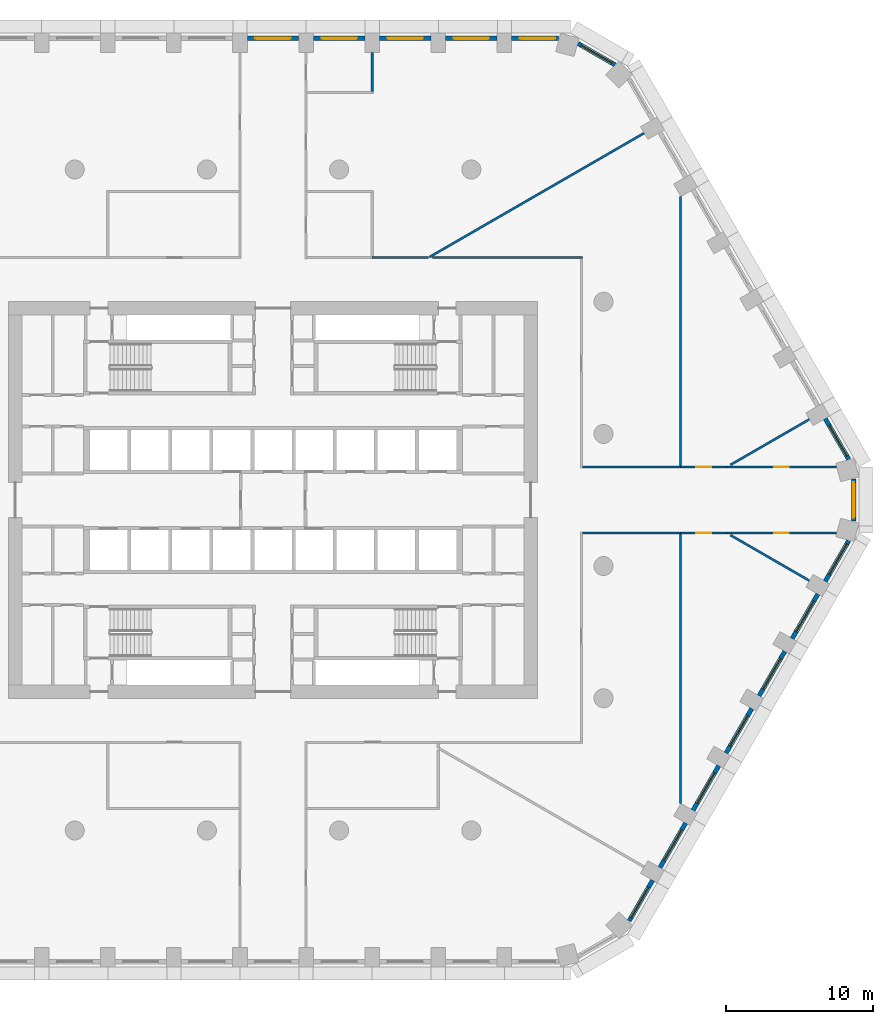
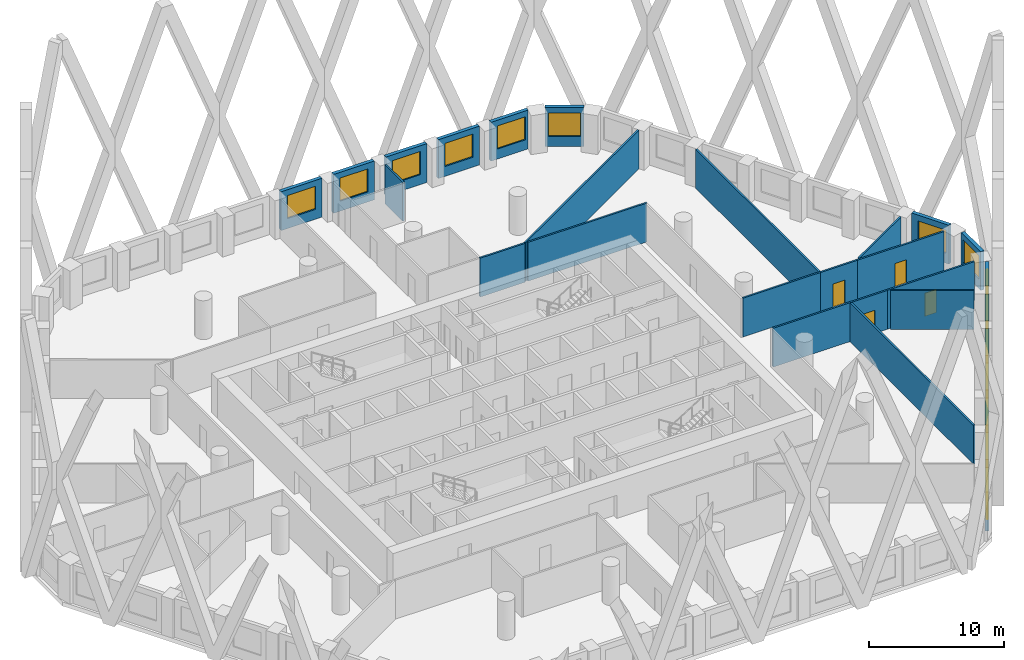
# One storey, part 8 of 18: 29 walls, 15 windows, 4 doors, 19 openings.
"""IFC4 building model written with IfcOpenShell, lengths in metres."""

from ifc_helpers import new_model, si_unit, direction, frame, frame_2d, origin, place, context, subcontext, project, spatial, rectangle, extrude, material, layer, layer_set, type_object, element, fill, save


model = new_model("IFC4")

# Units and contexts
model_context = context("Model", 3, precision=1e-05, world=origin(), true_north=direction((0.0, 1.0)))
body_context = subcontext(model_context, "Body", "Model", "MODEL_VIEW")
ifc_project = project(units=[si_unit("LENGTHUNIT", "METRE"), si_unit("AREAUNIT", "SQUARE_METRE"), si_unit("VOLUMEUNIT", "CUBIC_METRE"), si_unit("PLANEANGLEUNIT", "RADIAN"), si_unit("MASSUNIT", "GRAM", prefix="KILO")], contexts=[model_context])

# Site, building, storey
site_placement = place(None, origin())
site = spatial("IfcSite", under=ifc_project, at=site_placement, CompositionType="ELEMENT")
building_placement = place(site_placement, origin())
building = spatial("IfcBuilding", under=site, at=building_placement, Name="Dhurran Vertical Campus", CompositionType="ELEMENT")
storey_placement = place(building_placement, frame((0.0, 0.0, 104.699951171875)))
storey = spatial("IfcBuildingStorey", under=building, at=storey_placement, Name="L25", CompositionType="ELEMENT", Elevation=104.699951171875)

# Wall, opening, window
ifc_material_1 = material(Name="Precast concrete C50/60", Category="concrete")
ifc_layer_1 = layer(ifc_material_1, 0.300048828125)
ifc_layer_set_1 = layer_set([ifc_layer_1], Name="Precast concrete C50/60")
wall_type_1 = type_object("IfcWallType", Name="Precast spandrel wall 300", PredefinedType="SOLIDWALL", material=ifc_layer_set_1)
wall_1_placement = place(storey_placement, frame((24.24755859375, -28.65576171875, 0.0), z_axis=(0.0, 0.0, 1.0), x_axis=(0.500004907028, 0.866022570692, 0.0)))
wall_1 = element("IfcWall", 1, at=wall_1_placement, inside=storey, type_object=wall_type_1, Name="EW1 L25.10", PredefinedType="SOLIDWALL", context=body_context, shape_type="SweptSolid", body=[
    extrude(rectangle(XDim=3.1923828125, YDim=0.300048828125, at=frame_2d((1.59619140625, 0.0))), origin(), (0.0, 0.0, 1.0), 3.525146484375),
])
opening_1_placement = place(wall_1_placement, frame((0.242919921875, 0.0, 0.89990234375)))
opening_1 = element("IfcOpeningElement", 2, at=opening_1_placement, cuts=wall_1, Name="Opening WT1", PredefinedType="OPENING", context=body_context, shape_type="SweptSolid", body=[
    extrude(rectangle(XDim=2.39990234375, YDim=2.10009765625, at=frame_2d((1.199951171875, 1.050048828125))), frame((0.0, 0.159912109375, 0.0), z_axis=(0.0, -1.0, 0.0), x_axis=(1.0, 0.0, 0.0)), (0.0, 0.0, 1.0), 0.320068359375),
])
ifc_material_2 = material(Name="Aluminium frame with solar-control glass", Category="aluminium")
window_type = type_object("IfcWindowType", Name="Punched window 2400 x 2100", PartitioningType="SINGLE_PANEL", PredefinedType="WINDOW", material=ifc_material_2)
window_1_placement = place(opening_1_placement, origin())
window_1 = element("IfcWindow", 3, at=window_1_placement, inside=storey, type_object=window_type, Name="WT1 L25.10", OverallHeight=2.10009765625, OverallWidth=2.39990234375, PartitioningType="SINGLE_PANEL", PredefinedType="WINDOW", context=body_context, shape_type="SweptSolid", body=[
    extrude(rectangle(XDim=2.39990234375, YDim=2.10009765625, at=frame_2d((1.199951171875, 1.050048828125))), frame((0.0, 0.030029296875, 0.0), z_axis=(0.0, -1.0, 0.0), x_axis=(1.0, 0.0, 0.0)), (0.0, 0.0, 1.0), 0.06005859375),
])
fill(opening_1, window_1)

wall_2_placement = place(storey_placement, frame((26.34423828125, -25.024169921875, 0.0), z_axis=(0.0, 0.0, 1.0), x_axis=(0.499996256241, 0.866027565234, 0.0)))
wall_2 = element("IfcWall", 4, at=wall_2_placement, inside=storey, type_object=wall_type_1, Name="EW1 L25.11", PredefinedType="SOLIDWALL", context=body_context, shape_type="SweptSolid", body=[
    extrude(rectangle(XDim=3.4990234375, YDim=0.300048828125, at=frame_2d((1.74951171875, 0.0))), origin(), (0.0, 0.0, 1.0), 3.525146484375),
])
opening_2_placement = place(wall_2_placement, frame((0.549560546875, 0.0, 0.89990234375)))
opening_2 = element("IfcOpeningElement", 5, at=opening_2_placement, cuts=wall_2, Name="Opening WT1", PredefinedType="OPENING", context=body_context, shape_type="SweptSolid", body=[
    extrude(rectangle(XDim=2.39990234375, YDim=2.10009765625, at=frame_2d((1.199951171875, 1.050048828125))), frame((0.0, 0.159912109375, 0.0), z_axis=(0.0, -1.0, 0.0), x_axis=(1.0, 0.0, 0.0)), (0.0, 0.0, 1.0), 0.320068359375),
])
window_2_placement = place(opening_2_placement, origin())
window_2 = element("IfcWindow", 6, at=window_2_placement, inside=storey, type_object=window_type, Name="WT1 L25.11", OverallHeight=2.10009765625, OverallWidth=2.39990234375, PartitioningType="SINGLE_PANEL", PredefinedType="WINDOW", context=body_context, shape_type="SweptSolid", body=[
    extrude(rectangle(XDim=2.39990234375, YDim=2.10009765625, at=frame_2d((1.199951171875, 1.050048828125))), frame((0.0, 0.030029296875, 0.0), z_axis=(0.0, -1.0, 0.0), x_axis=(1.0, 0.0, 0.0)), (0.0, 0.0, 1.0), 0.06005859375),
])
fill(opening_2, window_2)

wall_3_placement = place(storey_placement, frame((28.59423828125, -21.127197265625, 0.0), z_axis=(0.0, 0.0, 1.0), x_axis=(0.499996256241, 0.866027565234, 0.0)))
wall_3 = element("IfcWall", 7, at=wall_3_placement, inside=storey, type_object=wall_type_1, Name="EW1 L25.12", PredefinedType="SOLIDWALL", context=body_context, shape_type="SweptSolid", body=[
    extrude(rectangle(XDim=3.4990234375, YDim=0.300048828125, at=frame_2d((1.74951171875, 0.0))), origin(), (0.0, 0.0, 1.0), 3.525146484375),
])
opening_3_placement = place(wall_3_placement, frame((0.549560546875, 0.0, 0.89990234375)))
opening_3 = element("IfcOpeningElement", 8, at=opening_3_placement, cuts=wall_3, Name="Opening WT1", PredefinedType="OPENING", context=body_context, shape_type="SweptSolid", body=[
    extrude(rectangle(XDim=2.39990234375, YDim=2.10009765625, at=frame_2d((1.199951171875, 1.050048828125))), frame((0.0, 0.159912109375, 0.0), z_axis=(0.0, -1.0, 0.0), x_axis=(1.0, 0.0, 0.0)), (0.0, 0.0, 1.0), 0.320068359375),
])
window_3_placement = place(opening_3_placement, origin())
window_3 = element("IfcWindow", 9, at=window_3_placement, inside=storey, type_object=window_type, Name="WT1 L25.12", OverallHeight=2.10009765625, OverallWidth=2.39990234375, PartitioningType="SINGLE_PANEL", PredefinedType="WINDOW", context=body_context, shape_type="SweptSolid", body=[
    extrude(rectangle(XDim=2.39990234375, YDim=2.10009765625, at=frame_2d((1.199951171875, 1.050048828125))), frame((0.0, 0.030029296875, 0.0), z_axis=(0.0, -1.0, 0.0), x_axis=(1.0, 0.0, 0.0)), (0.0, 0.0, 1.0), 0.06005859375),
])
fill(opening_3, window_3)

wall_4_placement = place(storey_placement, frame((30.84423828125, -17.22998046875, 0.0), z_axis=(0.0, 0.0, 1.0), x_axis=(0.499996256241, 0.866027565234, 0.0)))
wall_4 = element("IfcWall", 10, at=wall_4_placement, inside=storey, type_object=wall_type_1, Name="EW1 L25.13", PredefinedType="SOLIDWALL", context=body_context, shape_type="SweptSolid", body=[
    extrude(rectangle(XDim=3.4990234375, YDim=0.300048828125, at=frame_2d((1.74951171875, 0.0))), origin(), (0.0, 0.0, 1.0), 3.525146484375),
])
opening_4_placement = place(wall_4_placement, frame((0.549560546875, 0.0, 0.89990234375)))
opening_4 = element("IfcOpeningElement", 11, at=opening_4_placement, cuts=wall_4, Name="Opening WT1", PredefinedType="OPENING", context=body_context, shape_type="SweptSolid", body=[
    extrude(rectangle(XDim=2.39990234375, YDim=2.10009765625, at=frame_2d((1.199951171875, 1.050048828125))), frame((0.0, 0.159912109375, 0.0), z_axis=(0.0, -1.0, 0.0), x_axis=(1.0, 0.0, 0.0)), (0.0, 0.0, 1.0), 0.320068359375),
])
window_4_placement = place(opening_4_placement, origin())
window_4 = element("IfcWindow", 12, at=window_4_placement, inside=storey, type_object=window_type, Name="WT1 L25.13", OverallHeight=2.10009765625, OverallWidth=2.39990234375, PartitioningType="SINGLE_PANEL", PredefinedType="WINDOW", context=body_context, shape_type="SweptSolid", body=[
    extrude(rectangle(XDim=2.39990234375, YDim=2.10009765625, at=frame_2d((1.199951171875, 1.050048828125))), frame((0.0, 0.030029296875, 0.0), z_axis=(0.0, -1.0, 0.0), x_axis=(1.0, 0.0, 0.0)), (0.0, 0.0, 1.0), 0.06005859375),
])
fill(opening_4, window_4)

wall_5_placement = place(storey_placement, frame((33.09423828125, -13.3330078125, 0.0), z_axis=(0.0, 0.0, 1.0), x_axis=(0.499996256241, 0.866027565234, 0.0)))
wall_5 = element("IfcWall", 13, at=wall_5_placement, inside=storey, type_object=wall_type_1, Name="EW1 L25.14", PredefinedType="SOLIDWALL", context=body_context, shape_type="SweptSolid", body=[
    extrude(rectangle(XDim=3.4990234375, YDim=0.300048828125, at=frame_2d((1.74951171875, 0.0))), origin(), (0.0, 0.0, 1.0), 3.525146484375),
])
opening_5_placement = place(wall_5_placement, frame((0.549560546875, 0.0, 0.89990234375)))
opening_5 = element("IfcOpeningElement", 14, at=opening_5_placement, cuts=wall_5, Name="Opening WT1", PredefinedType="OPENING", context=body_context, shape_type="SweptSolid", body=[
    extrude(rectangle(XDim=2.39990234375, YDim=2.10009765625, at=frame_2d((1.199951171875, 1.050048828125))), frame((0.0, 0.159912109375, 0.0), z_axis=(0.0, -1.0, 0.0), x_axis=(1.0, 0.0, 0.0)), (0.0, 0.0, 1.0), 0.320068359375),
])
window_5_placement = place(opening_5_placement, origin())
window_5 = element("IfcWindow", 15, at=window_5_placement, inside=storey, type_object=window_type, Name="WT1 L25.14", OverallHeight=2.10009765625, OverallWidth=2.39990234375, PartitioningType="SINGLE_PANEL", PredefinedType="WINDOW", context=body_context, shape_type="SweptSolid", body=[
    extrude(rectangle(XDim=2.39990234375, YDim=2.10009765625, at=frame_2d((1.199951171875, 1.050048828125))), frame((0.0, 0.030029296875, 0.0), z_axis=(0.0, -1.0, 0.0), x_axis=(1.0, 0.0, 0.0)), (0.0, 0.0, 1.0), 0.06005859375),
])
fill(opening_5, window_5)

wall_6_placement = place(storey_placement, frame((35.34423828125, -9.435791015625, 0.0), z_axis=(0.0, 0.0, 1.0), x_axis=(0.499996256241, 0.866027565234, 0.0)))
wall_6 = element("IfcWall", 16, at=wall_6_placement, inside=storey, type_object=wall_type_1, Name="EW1 L25.15", PredefinedType="SOLIDWALL", context=body_context, shape_type="SweptSolid", body=[
    extrude(rectangle(XDim=3.4990234375, YDim=0.300048828125, at=frame_2d((1.74951171875, 0.0))), origin(), (0.0, 0.0, 1.0), 3.525146484375),
])
opening_6_placement = place(wall_6_placement, frame((0.549560546875, 0.0, 0.89990234375)))
opening_6 = element("IfcOpeningElement", 17, at=opening_6_placement, cuts=wall_6, Name="Opening WT1", PredefinedType="OPENING", context=body_context, shape_type="SweptSolid", body=[
    extrude(rectangle(XDim=2.39990234375, YDim=2.10009765625, at=frame_2d((1.199951171875, 1.050048828125))), frame((0.0, 0.159912109375, 0.0), z_axis=(0.0, -1.0, 0.0), x_axis=(1.0, 0.0, 0.0)), (0.0, 0.0, 1.0), 0.320068359375),
])
window_6_placement = place(opening_6_placement, origin())
window_6 = element("IfcWindow", 18, at=window_6_placement, inside=storey, type_object=window_type, Name="WT1 L25.15", OverallHeight=2.10009765625, OverallWidth=2.39990234375, PartitioningType="SINGLE_PANEL", PredefinedType="WINDOW", context=body_context, shape_type="SweptSolid", body=[
    extrude(rectangle(XDim=2.39990234375, YDim=2.10009765625, at=frame_2d((1.199951171875, 1.050048828125))), frame((0.0, 0.030029296875, 0.0), z_axis=(0.0, -1.0, 0.0), x_axis=(1.0, 0.0, 0.0)), (0.0, 0.0, 1.0), 0.06005859375),
])
fill(opening_6, window_6)

wall_7_placement = place(storey_placement, frame((37.59423828125, -5.538818359375, 0.0), z_axis=(0.0, 0.0, 1.0), x_axis=(0.500004907028, 0.866022570692, 0.0)))
wall_7 = element("IfcWall", 19, at=wall_7_placement, inside=storey, type_object=wall_type_1, Name="EW1 L25.16", PredefinedType="SOLIDWALL", context=body_context, shape_type="SweptSolid", body=[
    extrude(rectangle(XDim=3.1923828125, YDim=0.300048828125, at=frame_2d((1.59619140625, 0.0))), origin(), (0.0, 0.0, 1.0), 3.525146484375),
])
opening_7_placement = place(wall_7_placement, frame((0.549560546875, 0.0, 0.89990234375)))
opening_7 = element("IfcOpeningElement", 20, at=opening_7_placement, cuts=wall_7, Name="Opening WT1", PredefinedType="OPENING", context=body_context, shape_type="SweptSolid", body=[
    extrude(rectangle(XDim=2.39990234375, YDim=2.10009765625, at=frame_2d((1.199951171875, 1.050048828125))), frame((0.0, 0.159912109375, 0.0), z_axis=(0.0, -1.0, 0.0), x_axis=(1.0, 0.0, 0.0)), (0.0, 0.0, 1.0), 0.320068359375),
])
window_7_placement = place(opening_7_placement, origin())
window_7 = element("IfcWindow", 21, at=window_7_placement, inside=storey, type_object=window_type, Name="WT1 L25.16", OverallHeight=2.10009765625, OverallWidth=2.39990234375, PartitioningType="SINGLE_PANEL", PredefinedType="WINDOW", context=body_context, shape_type="SweptSolid", body=[
    extrude(rectangle(XDim=2.39990234375, YDim=2.10009765625, at=frame_2d((1.199951171875, 1.050048828125))), frame((0.0, 0.030029296875, 0.0), z_axis=(0.0, -1.0, 0.0), x_axis=(1.0, 0.0, 0.0)), (0.0, 0.0, 1.0), 0.06005859375),
])
fill(opening_7, window_7)

wall_8_placement = place(storey_placement, frame((39.547119140625, -1.44287109375, 0.0), z_axis=(0.0, 0.0, 1.0), x_axis=(0.0, 1.0, 0.0)))
wall_8 = element("IfcWall", 22, at=wall_8_placement, inside=storey, type_object=wall_type_1, Name="EW1 L25.17", PredefinedType="SOLIDWALL", context=body_context, shape_type="SweptSolid", body=[
    extrude(rectangle(XDim=2.8857421875, YDim=0.300048828125, at=frame_2d((1.44287109375, 0.0))), origin(), (0.0, 0.0, 1.0), 3.525146484375),
])
opening_8_placement = place(wall_8_placement, frame((0.242919921875, 0.0, 0.89990234375)))
opening_8 = element("IfcOpeningElement", 23, at=opening_8_placement, cuts=wall_8, Name="Opening WT1", PredefinedType="OPENING", context=body_context, shape_type="SweptSolid", body=[
    extrude(rectangle(XDim=2.39990234375, YDim=2.10009765625, at=frame_2d((1.199951171875, 1.050048828125))), frame((0.0, 0.159912109375, 0.0), z_axis=(0.0, -1.0, 0.0), x_axis=(1.0, 0.0, 0.0)), (0.0, 0.0, 1.0), 0.320068359375),
])
window_8_placement = place(opening_8_placement, origin())
window_8 = element("IfcWindow", 24, at=window_8_placement, inside=storey, type_object=window_type, Name="WT1 L25.17", OverallHeight=2.10009765625, OverallWidth=2.39990234375, PartitioningType="SINGLE_PANEL", PredefinedType="WINDOW", context=body_context, shape_type="SweptSolid", body=[
    extrude(rectangle(XDim=2.39990234375, YDim=2.10009765625, at=frame_2d((1.199951171875, 1.050048828125))), frame((0.0, 0.030029296875, 0.0), z_axis=(0.0, -1.0, 0.0), x_axis=(1.0, 0.0, 0.0)), (0.0, 0.0, 1.0), 0.06005859375),
])
fill(opening_8, window_8)

wall_9_placement = place(storey_placement, frame((39.1904296875, 2.774169921875, 0.0), z_axis=(0.0, 0.0, 1.0), x_axis=(-0.500004907028, 0.866022570692, 0.0)))
wall_9 = element("IfcWall", 25, at=wall_9_placement, inside=storey, type_object=wall_type_1, Name="EW1 L25.18", PredefinedType="SOLIDWALL", context=body_context, shape_type="SweptSolid", body=[
    extrude(rectangle(XDim=3.1923828125, YDim=0.300048828125, at=frame_2d((1.59619140625, 0.0))), origin(), (0.0, 0.0, 1.0), 3.525146484375),
])
opening_9_placement = place(wall_9_placement, frame((0.242919921875, 0.0, 0.89990234375)))
opening_9 = element("IfcOpeningElement", 26, at=opening_9_placement, cuts=wall_9, Name="Opening WT1", PredefinedType="OPENING", context=body_context, shape_type="SweptSolid", body=[
    extrude(rectangle(XDim=2.39990234375, YDim=2.10009765625, at=frame_2d((1.199951171875, 1.050048828125))), frame((0.0, 0.159912109375, 0.0), z_axis=(0.0, -1.0, 0.0), x_axis=(1.0, 0.0, 0.0)), (0.0, 0.0, 1.0), 0.320068359375),
])
window_9_placement = place(opening_9_placement, origin())
window_9 = element("IfcWindow", 27, at=window_9_placement, inside=storey, type_object=window_type, Name="WT1 L25.18", OverallHeight=2.10009765625, OverallWidth=2.39990234375, PartitioningType="SINGLE_PANEL", PredefinedType="WINDOW", context=body_context, shape_type="SweptSolid", body=[
    extrude(rectangle(XDim=2.39990234375, YDim=2.10009765625, at=frame_2d((1.199951171875, 1.050048828125))), frame((0.0, 0.030029296875, 0.0), z_axis=(0.0, -1.0, 0.0), x_axis=(1.0, 0.0, 0.0)), (0.0, 0.0, 1.0), 0.06005859375),
])
fill(opening_9, window_9)

wall_10_placement = place(storey_placement, frame((23.273193359375, 29.63037109375, 0.0), z_axis=(0.0, 0.0, 1.0), x_axis=(-0.866053149362, 0.49995194017, 0.0)))
wall_10 = element("IfcWall", 28, at=wall_10_placement, inside=storey, type_object=wall_type_1, Name="EW1 L25.25", PredefinedType="SOLIDWALL", context=body_context, shape_type="SweptSolid", body=[
    extrude(rectangle(XDim=2.885498046875, YDim=0.300048828125, at=frame_2d((1.44287109375, 0.0))), origin(), (0.0, 0.0, 1.0), 3.525146484375),
])
opening_10_placement = place(wall_10_placement, frame((0.242919921875, 0.0, 0.89990234375)))
opening_10 = element("IfcOpeningElement", 29, at=opening_10_placement, cuts=wall_10, Name="Opening WT1", PredefinedType="OPENING", context=body_context, shape_type="SweptSolid", body=[
    extrude(rectangle(XDim=2.39990234375, YDim=2.10009765625, at=frame_2d((1.199951171875, 1.050048828125))), frame((0.0, 0.159912109375, 0.0), z_axis=(0.0, -1.0, 0.0), x_axis=(1.0, 0.0, 0.0)), (0.0, 0.0, 1.0), 0.320068359375),
])
window_10_placement = place(opening_10_placement, origin())
window_10 = element("IfcWindow", 30, at=window_10_placement, inside=storey, type_object=window_type, Name="WT1 L25.25", OverallHeight=2.10009765625, OverallWidth=2.39990234375, PartitioningType="SINGLE_PANEL", PredefinedType="WINDOW", context=body_context, shape_type="SweptSolid", body=[
    extrude(rectangle(XDim=2.39990234375, YDim=2.10009765625, at=frame_2d((1.199951171875, 1.050048828125))), frame((0.0, 0.030029296875, 0.0), z_axis=(0.0, -1.0, 0.0), x_axis=(1.0, 0.0, 0.0)), (0.0, 0.0, 1.0), 0.06005859375),
])
fill(opening_10, window_10)

wall_11_placement = place(storey_placement, frame((19.44287109375, 31.4296875, 0.0), z_axis=(0.0, 0.0, 1.0), x_axis=(-1.0, 0.0, 0.0)))
wall_11 = element("IfcWall", 31, at=wall_11_placement, inside=storey, type_object=wall_type_1, Name="EW1 L25.26", PredefinedType="SOLIDWALL", context=body_context, shape_type="SweptSolid", body=[
    extrude(rectangle(XDim=3.1923828125, YDim=0.300048828125, at=frame_2d((1.59619140625, 0.0))), origin(), (0.0, 0.0, 1.0), 3.525146484375),
])
opening_11_placement = place(wall_11_placement, frame((0.242919921875, 0.0, 0.89990234375)))
opening_11 = element("IfcOpeningElement", 32, at=opening_11_placement, cuts=wall_11, Name="Opening WT1", PredefinedType="OPENING", context=body_context, shape_type="SweptSolid", body=[
    extrude(rectangle(XDim=2.39990234375, YDim=2.10009765625, at=frame_2d((1.199951171875, 1.050048828125))), frame((0.0, 0.159912109375, 0.0), z_axis=(0.0, -1.0, 0.0), x_axis=(1.0, 0.0, 0.0)), (0.0, 0.0, 1.0), 0.320068359375),
])
window_11_placement = place(opening_11_placement, origin())
window_11 = element("IfcWindow", 33, at=window_11_placement, inside=storey, type_object=window_type, Name="WT1 L25.26", OverallHeight=2.10009765625, OverallWidth=2.39990234375, PartitioningType="SINGLE_PANEL", PredefinedType="WINDOW", context=body_context, shape_type="SweptSolid", body=[
    extrude(rectangle(XDim=2.39990234375, YDim=2.10009765625, at=frame_2d((1.199951171875, 1.050048828125))), frame((0.0, 0.030029296875, 0.0), z_axis=(0.0, -1.0, 0.0), x_axis=(1.0, 0.0, 0.0)), (0.0, 0.0, 1.0), 0.06005859375),
])
fill(opening_11, window_11)

wall_12_placement = place(storey_placement, frame((15.24951171875, 31.4296875, 0.0), z_axis=(0.0, 0.0, 1.0), x_axis=(-1.0, 0.0, 0.0)))
wall_12 = element("IfcWall", 34, at=wall_12_placement, inside=storey, type_object=wall_type_1, Name="EW1 L25.27", PredefinedType="SOLIDWALL", context=body_context, shape_type="SweptSolid", body=[
    extrude(rectangle(XDim=3.4990234375, YDim=0.300048828125, at=frame_2d((1.74951171875, 0.0))), origin(), (0.0, 0.0, 1.0), 3.525146484375),
])
opening_12_placement = place(wall_12_placement, frame((0.549560546875, 0.0, 0.89990234375)))
opening_12 = element("IfcOpeningElement", 35, at=opening_12_placement, cuts=wall_12, Name="Opening WT1", PredefinedType="OPENING", context=body_context, shape_type="SweptSolid", body=[
    extrude(rectangle(XDim=2.39990234375, YDim=2.10009765625, at=frame_2d((1.199951171875, 1.050048828125))), frame((0.0, 0.159912109375, 0.0), z_axis=(0.0, -1.0, 0.0), x_axis=(1.0, 0.0, 0.0)), (0.0, 0.0, 1.0), 0.320068359375),
])
window_12_placement = place(opening_12_placement, origin())
window_12 = element("IfcWindow", 36, at=window_12_placement, inside=storey, type_object=window_type, Name="WT1 L25.27", OverallHeight=2.10009765625, OverallWidth=2.39990234375, PartitioningType="SINGLE_PANEL", PredefinedType="WINDOW", context=body_context, shape_type="SweptSolid", body=[
    extrude(rectangle(XDim=2.39990234375, YDim=2.10009765625, at=frame_2d((1.199951171875, 1.050048828125))), frame((0.0, 0.030029296875, 0.0), z_axis=(0.0, -1.0, 0.0), x_axis=(1.0, 0.0, 0.0)), (0.0, 0.0, 1.0), 0.06005859375),
])
fill(opening_12, window_12)

wall_13_placement = place(storey_placement, frame((10.74951171875, 31.4296875, 0.0), z_axis=(0.0, 0.0, 1.0), x_axis=(-1.0, 0.0, 0.0)))
wall_13 = element("IfcWall", 37, at=wall_13_placement, inside=storey, type_object=wall_type_1, Name="EW1 L25.28", PredefinedType="SOLIDWALL", context=body_context, shape_type="SweptSolid", body=[
    extrude(rectangle(XDim=3.4990234375, YDim=0.300048828125, at=frame_2d((1.74951171875, 0.0))), origin(), (0.0, 0.0, 1.0), 3.525146484375),
])
opening_13_placement = place(wall_13_placement, frame((0.549560546875, 0.0, 0.89990234375)))
opening_13 = element("IfcOpeningElement", 38, at=opening_13_placement, cuts=wall_13, Name="Opening WT1", PredefinedType="OPENING", context=body_context, shape_type="SweptSolid", body=[
    extrude(rectangle(XDim=2.39990234375, YDim=2.10009765625, at=frame_2d((1.199951171875, 1.050048828125))), frame((0.0, 0.159912109375, 0.0), z_axis=(0.0, -1.0, 0.0), x_axis=(1.0, 0.0, 0.0)), (0.0, 0.0, 1.0), 0.320068359375),
])
window_13_placement = place(opening_13_placement, origin())
window_13 = element("IfcWindow", 39, at=window_13_placement, inside=storey, type_object=window_type, Name="WT1 L25.28", OverallHeight=2.10009765625, OverallWidth=2.39990234375, PartitioningType="SINGLE_PANEL", PredefinedType="WINDOW", context=body_context, shape_type="SweptSolid", body=[
    extrude(rectangle(XDim=2.39990234375, YDim=2.10009765625, at=frame_2d((1.199951171875, 1.050048828125))), frame((0.0, 0.030029296875, 0.0), z_axis=(0.0, -1.0, 0.0), x_axis=(1.0, 0.0, 0.0)), (0.0, 0.0, 1.0), 0.06005859375),
])
fill(opening_13, window_13)

wall_14_placement = place(storey_placement, frame((6.24951171875, 31.4296875, 0.0), z_axis=(0.0, 0.0, 1.0), x_axis=(-1.0, 0.0, 0.0)))
wall_14 = element("IfcWall", 40, at=wall_14_placement, inside=storey, type_object=wall_type_1, Name="EW1 L25.29", PredefinedType="SOLIDWALL", context=body_context, shape_type="SweptSolid", body=[
    extrude(rectangle(XDim=3.4990234375, YDim=0.300048828125, at=frame_2d((1.74951171875, 0.0))), origin(), (0.0, 0.0, 1.0), 3.525146484375),
])
opening_14_placement = place(wall_14_placement, frame((0.549560546875, 0.0, 0.89990234375)))
opening_14 = element("IfcOpeningElement", 41, at=opening_14_placement, cuts=wall_14, Name="Opening WT1", PredefinedType="OPENING", context=body_context, shape_type="SweptSolid", body=[
    extrude(rectangle(XDim=2.39990234375, YDim=2.10009765625, at=frame_2d((1.199951171875, 1.050048828125))), frame((0.0, 0.159912109375, 0.0), z_axis=(0.0, -1.0, 0.0), x_axis=(1.0, 0.0, 0.0)), (0.0, 0.0, 1.0), 0.320068359375),
])
window_14_placement = place(opening_14_placement, origin())
window_14 = element("IfcWindow", 42, at=window_14_placement, inside=storey, type_object=window_type, Name="WT1 L25.29", OverallHeight=2.10009765625, OverallWidth=2.39990234375, PartitioningType="SINGLE_PANEL", PredefinedType="WINDOW", context=body_context, shape_type="SweptSolid", body=[
    extrude(rectangle(XDim=2.39990234375, YDim=2.10009765625, at=frame_2d((1.199951171875, 1.050048828125))), frame((0.0, 0.030029296875, 0.0), z_axis=(0.0, -1.0, 0.0), x_axis=(1.0, 0.0, 0.0)), (0.0, 0.0, 1.0), 0.06005859375),
])
fill(opening_14, window_14)

wall_15_placement = place(storey_placement, frame((1.74951171875, 31.4296875, 0.0), z_axis=(0.0, 0.0, 1.0), x_axis=(-1.0, 0.0, 0.0)))
wall_15 = element("IfcWall", 43, at=wall_15_placement, inside=storey, type_object=wall_type_1, Name="EW1 L25.30", PredefinedType="SOLIDWALL", context=body_context, shape_type="SweptSolid", body=[
    extrude(rectangle(XDim=3.4990234375, YDim=0.300048828125, at=frame_2d((1.74951171875, 0.0))), origin(), (0.0, 0.0, 1.0), 3.525146484375),
])
opening_15_placement = place(wall_15_placement, frame((0.549560546875, 0.0, 0.89990234375)))
opening_15 = element("IfcOpeningElement", 44, at=opening_15_placement, cuts=wall_15, Name="Opening WT1", PredefinedType="OPENING", context=body_context, shape_type="SweptSolid", body=[
    extrude(rectangle(XDim=2.39990234375, YDim=2.10009765625, at=frame_2d((1.199951171875, 1.050048828125))), frame((0.0, 0.159912109375, 0.0), z_axis=(0.0, -1.0, 0.0), x_axis=(1.0, 0.0, 0.0)), (0.0, 0.0, 1.0), 0.320068359375),
])
window_15_placement = place(opening_15_placement, origin())
window_15 = element("IfcWindow", 45, at=window_15_placement, inside=storey, type_object=window_type, Name="WT1 L25.30", OverallHeight=2.10009765625, OverallWidth=2.39990234375, PartitioningType="SINGLE_PANEL", PredefinedType="WINDOW", context=body_context, shape_type="SweptSolid", body=[
    extrude(rectangle(XDim=2.39990234375, YDim=2.10009765625, at=frame_2d((1.199951171875, 1.050048828125))), frame((0.0, 0.030029296875, 0.0), z_axis=(0.0, -1.0, 0.0), x_axis=(1.0, 0.0, 0.0)), (0.0, 0.0, 1.0), 0.06005859375),
])
fill(opening_15, window_15)

# Walls
ifc_material_3 = material(Name="Gypsum board corridor wall on steel studs", Category="steel")
ifc_layer_2 = layer(ifc_material_3, 0.14990234375)
ifc_layer_set_2 = layer_set([ifc_layer_2], Name="Gypsum board corridor wall on steel studs")
wall_type_2 = type_object("IfcWallType", Name="fl-CW-150 corridor wall", PredefinedType="PARTITIONING", material=ifc_layer_set_2)
wall_16_placement = place(storey_placement, frame((10.5791015625, 16.5, 0.0), z_axis=(0.0, 0.0, 1.0), x_axis=(-1.0, 0.0, 0.0)))
element("IfcWall", 46, at=wall_16_placement, inside=storey, type_object=wall_type_2, Name="Partition 25-44", PredefinedType="PARTITIONING", context=body_context, shape_type="SweptSolid", body=[
    extrude(rectangle(XDim=3.8291015625, YDim=0.14990234375, at=frame_2d((1.91455078125, 0.0))), origin(), (0.0, 0.0, 1.0), 3.525146484375),
])
wall_17_placement = place(storey_placement, frame((21.074951171875, 16.5, 0.0), z_axis=(0.0, 0.0, 1.0), x_axis=(-1.0, 0.0, 0.0)))
element("IfcWall", 47, at=wall_17_placement, inside=storey, type_object=wall_type_2, Name="Partition 25-46", PredefinedType="PARTITIONING", context=body_context, shape_type="SweptSolid", body=[
    extrude(rectangle(XDim=10.220947265625, YDim=0.14990234375, at=frame_2d((5.1103515625, 0.0))), origin(), (0.0, 0.0, 1.0), 3.525146484375),
])
for number, where, z_axis, x_axis, name in (
    (48, (27.75, -2.25, 0.0), (0.0, 0.0, 1.0), (-1.0, 0.0, 0.0), "Partition 25-53"),
    (49, (21.074951171875, 2.25, 0.0), (0.0, 0.0, 1.0), (1.0, 0.0, 0.0), "Partition 25-55"),
):
    element("IfcWall", number, at=place(storey_placement, frame(where, z_axis=z_axis, x_axis=x_axis)), inside=storey, type_object=wall_type_2, Name=name, PredefinedType="PARTITIONING", context=body_context, shape_type="SweptSolid", body=[
        extrude(rectangle(XDim=6.675048828125, YDim=0.14990234375, at=frame_2d((3.33740234375, 0.0))), origin(), (0.0, 0.0, 1.0), 3.525146484375),
    ])

# Wall, opening, door
wall_18_placement = place(storey_placement, frame((30.89697265625, -2.25, 0.0), z_axis=(0.0, 0.0, 1.0), x_axis=(-1.0, 0.0, 0.0)))
wall_18 = element("IfcWall", 50, at=wall_18_placement, inside=storey, type_object=wall_type_2, Name="Partition 25-57", PredefinedType="PARTITIONING", context=body_context, shape_type="SweptSolid", body=[
    extrude(rectangle(XDim=3.14697265625, YDim=0.14990234375, at=frame_2d((1.573486328125, 0.0))), origin(), (0.0, 0.0, 1.0), 3.525146484375),
])
opening_16_placement = place(wall_18_placement, frame((1.073486328125, 0.0, 0.0)))
opening_16 = element("IfcOpeningElement", 51, at=opening_16_placement, cuts=wall_18, Name="Opening T07.18", PredefinedType="OPENING", context=body_context, shape_type="SweptSolid", body=[
    extrude(rectangle(XDim=1.0, YDim=2.10009765625, at=frame_2d((0.5, 1.050048828125))), frame((0.0, 0.0849609375, 0.0), z_axis=(0.0, -1.0, 0.0), x_axis=(1.0, 0.0, 0.0)), (0.0, 0.0, 1.0), 0.169921875),
])
ifc_material_4 = material(Name="Solid-core timber door set, fire-rated", Category="wood")
door_type = type_object("IfcDoorType", Name="fl-D-1000x2100", OperationType="SINGLE_SWING_LEFT", PredefinedType="DOOR", material=ifc_material_4)
door_1_placement = place(opening_16_placement, origin())
door_1 = element("IfcDoor", 52, at=door_1_placement, inside=storey, type_object=door_type, Name="Door 25.18", OperationType="SINGLE_SWING_RIGHT", OverallHeight=2.10009765625, OverallWidth=1.0, PredefinedType="DOOR", context=body_context, shape_type="SweptSolid", body=[
    extrude(rectangle(XDim=1.0, YDim=2.10009765625, at=frame_2d((0.5, 1.050048828125))), frame((0.0, 0.02490234375, 0.0), z_axis=(0.0, -1.0, 0.0), x_axis=(1.0, 0.0, 0.0)), (0.0, 0.0, 1.0), 0.050048828125),
])
fill(opening_16, door_1)

wall_19_placement = place(storey_placement, frame((27.75, 2.25, 0.0), z_axis=(0.0, 0.0, 1.0), x_axis=(1.0, 0.0, 0.0)))
wall_19 = element("IfcWall", 53, at=wall_19_placement, inside=storey, type_object=wall_type_2, Name="Partition 25-59", PredefinedType="PARTITIONING", context=body_context, shape_type="SweptSolid", body=[
    extrude(rectangle(XDim=3.14697265625, YDim=0.14990234375, at=frame_2d((1.573486328125, 0.0))), origin(), (0.0, 0.0, 1.0), 3.525146484375),
])
opening_17_placement = place(wall_19_placement, frame((1.073486328125, 0.0, 0.0)))
opening_17 = element("IfcOpeningElement", 54, at=opening_17_placement, cuts=wall_19, Name="Opening T07.19", PredefinedType="OPENING", context=body_context, shape_type="SweptSolid", body=[
    extrude(rectangle(XDim=1.0, YDim=2.10009765625, at=frame_2d((0.5, 1.050048828125))), frame((0.0, 0.0849609375, 0.0), z_axis=(0.0, -1.0, 0.0), x_axis=(1.0, 0.0, 0.0)), (0.0, 0.0, 1.0), 0.169921875),
])
door_2_placement = place(opening_17_placement, origin())
door_2 = element("IfcDoor", 55, at=door_2_placement, inside=storey, type_object=door_type, Name="Door 25.19", OperationType="SINGLE_SWING_LEFT", OverallHeight=2.10009765625, OverallWidth=1.0, PredefinedType="DOOR", context=body_context, shape_type="SweptSolid", body=[
    extrude(rectangle(XDim=1.0, YDim=2.10009765625, at=frame_2d((0.5, 1.050048828125))), frame((0.0, 0.02490234375, 0.0), z_axis=(0.0, -1.0, 0.0), x_axis=(1.0, 0.0, 0.0)), (0.0, 0.0, 1.0), 0.050048828125),
])
fill(opening_17, door_2)

wall_20_placement = place(storey_placement, frame((38.35009765625, -2.25, 0.0), z_axis=(0.0, 0.0, 1.0), x_axis=(-1.0, 0.0, 0.0)))
wall_20 = element("IfcWall", 56, at=wall_20_placement, inside=storey, type_object=wall_type_2, Name="Partition 25-61", PredefinedType="PARTITIONING", context=body_context, shape_type="SweptSolid", body=[
    extrude(rectangle(XDim=7.453125, YDim=0.14990234375, at=frame_2d((3.7265625, 0.0))), origin(), (0.0, 0.0, 1.0), 3.525146484375),
])
opening_18_placement = place(wall_20_placement, frame((3.2265625, 0.0, 0.0)))
opening_18 = element("IfcOpeningElement", 57, at=opening_18_placement, cuts=wall_20, Name="Opening T07.20", PredefinedType="OPENING", context=body_context, shape_type="SweptSolid", body=[
    extrude(rectangle(XDim=1.0, YDim=2.10009765625, at=frame_2d((0.5, 1.050048828125))), frame((0.0, 0.0849609375, 0.0), z_axis=(0.0, -1.0, 0.0), x_axis=(1.0, 0.0, 0.0)), (0.0, 0.0, 1.0), 0.169921875),
])
door_3_placement = place(opening_18_placement, origin())
door_3 = element("IfcDoor", 58, at=door_3_placement, inside=storey, type_object=door_type, Name="Door 25.20", OperationType="SINGLE_SWING_RIGHT", OverallHeight=2.10009765625, OverallWidth=1.0, PredefinedType="DOOR", context=body_context, shape_type="SweptSolid", body=[
    extrude(rectangle(XDim=1.0, YDim=2.10009765625, at=frame_2d((0.5, 1.050048828125))), frame((0.0, 0.02490234375, 0.0), z_axis=(0.0, -1.0, 0.0), x_axis=(1.0, 0.0, 0.0)), (0.0, 0.0, 1.0), 0.050048828125),
])
fill(opening_18, door_3)

wall_21_placement = place(storey_placement, frame((30.89697265625, 2.25, 0.0), z_axis=(0.0, 0.0, 1.0), x_axis=(1.0, 0.0, 0.0)))
wall_21 = element("IfcWall", 59, at=wall_21_placement, inside=storey, type_object=wall_type_2, Name="Partition 25-63", PredefinedType="PARTITIONING", context=body_context, shape_type="SweptSolid", body=[
    extrude(rectangle(XDim=7.453125, YDim=0.14990234375, at=frame_2d((3.7265625, 0.0))), origin(), (0.0, 0.0, 1.0), 3.525146484375),
])
opening_19_placement = place(wall_21_placement, frame((3.2265625, 0.0, 0.0)))
opening_19 = element("IfcOpeningElement", 60, at=opening_19_placement, cuts=wall_21, Name="Opening T07.21", PredefinedType="OPENING", context=body_context, shape_type="SweptSolid", body=[
    extrude(rectangle(XDim=1.0, YDim=2.10009765625, at=frame_2d((0.5, 1.050048828125))), frame((0.0, 0.0849609375, 0.0), z_axis=(0.0, -1.0, 0.0), x_axis=(1.0, 0.0, 0.0)), (0.0, 0.0, 1.0), 0.169921875),
])
door_4_placement = place(opening_19_placement, origin())
door_4 = element("IfcDoor", 61, at=door_4_placement, inside=storey, type_object=door_type, Name="Door 25.21", OperationType="SINGLE_SWING_RIGHT", OverallHeight=2.10009765625, OverallWidth=1.0, PredefinedType="DOOR", context=body_context, shape_type="SweptSolid", body=[
    extrude(rectangle(XDim=1.0, YDim=2.10009765625, at=frame_2d((0.5, 1.050048828125))), frame((0.0, 0.02490234375, 0.0), z_axis=(0.0, -1.0, 0.0), x_axis=(1.0, 0.0, 0.0)), (0.0, 0.0, 1.0), 0.050048828125),
])
fill(opening_19, door_4)

# Walls
ifc_material_5 = material(Name="Gypsum board partition on steel studs", Category="steel")
ifc_layer_3 = layer(ifc_material_5, 0.14990234375)
ifc_layer_set_3 = layer_set([ifc_layer_3], Name="Gypsum board partition on steel studs")
wall_type_3 = type_object("IfcWallType", Name="fl-PW-150 fixed partition", PredefinedType="PARTITIONING", material=ifc_layer_set_3)
wall_22_placement = place(storey_placement, frame((6.75, 30.459716796875, 0.0), z_axis=(0.0, 0.0, 1.0), x_axis=(0.0, -1.0, 0.0)))
element("IfcWall", 62, at=wall_22_placement, inside=storey, type_object=wall_type_3, Name="Partition 25-45", PredefinedType="PARTITIONING", context=body_context, shape_type="SweptSolid", body=[
    extrude(rectangle(XDim=2.634765625, YDim=0.14990234375, at=frame_2d((1.3173828125, 0.0))), origin(), (0.0, 0.0, 1.0), 3.525146484375),
])
wall_23_placement = place(storey_placement, frame((25.25390625, 24.972900390625, 0.0), z_axis=(0.0, 0.0, 1.0), x_axis=(-0.866017851419, -0.500013080853, 0.0)))
element("IfcWall", 63, at=wall_23_placement, inside=storey, type_object=wall_type_3, Name="Partition 25-47", PredefinedType="PARTITIONING", context=body_context, shape_type="SweptSolid", body=[
    extrude(rectangle(XDim=16.8701171875, YDim=0.14990234375, at=frame_2d((8.43505859375, 0.0))), origin(), (0.0, 0.0, 1.0), 3.525146484375),
])
for number, where, z_axis, x_axis, name in (
    (64, (27.75, -2.324951171875, 0.0), (0.0, 0.0, 1.0), (0.0, -1.0, 0.0), "Partition 25-56"),
    (65, (27.75, 20.6494140625, 0.0), (0.0, 0.0, 1.0), (0.0, -1.0, 0.0), "Partition 25-58"),
):
    element("IfcWall", number, at=place(storey_placement, frame(where, z_axis=z_axis, x_axis=x_axis)), inside=storey, type_object=wall_type_3, Name=name, PredefinedType="PARTITIONING", context=body_context, shape_type="SweptSolid", body=[
        extrude(rectangle(XDim=18.324462890625, YDim=0.14990234375, at=frame_2d((9.162109375, 0.0))), origin(), (0.0, 0.0, 1.0), 3.525146484375),
    ])
for number, where, z_axis, x_axis, name in (
    (66, (31.13525390625, -2.387451171875, 0.0), (0.0, 0.0, 1.0), (0.866007197923, -0.500031532152, 0.0), "Partition 25-60"),
    (67, (36.50390625, 5.4873046875, 0.0), (0.0, 0.0, 1.0), (-0.866007197923, -0.500031532152, 0.0), "Partition 25-62"),
):
    element("IfcWall", number, at=place(storey_placement, frame(where, z_axis=z_axis, x_axis=x_axis)), inside=storey, type_object=wall_type_3, Name=name, PredefinedType="PARTITIONING", context=body_context, shape_type="SweptSolid", body=[
        extrude(rectangle(XDim=6.19921875, YDim=0.14990234375, at=frame_2d((3.099609375, 0.0))), origin(), (0.0, 0.0, 1.0), 3.525146484375),
    ])

save(model, "model.ifc")
